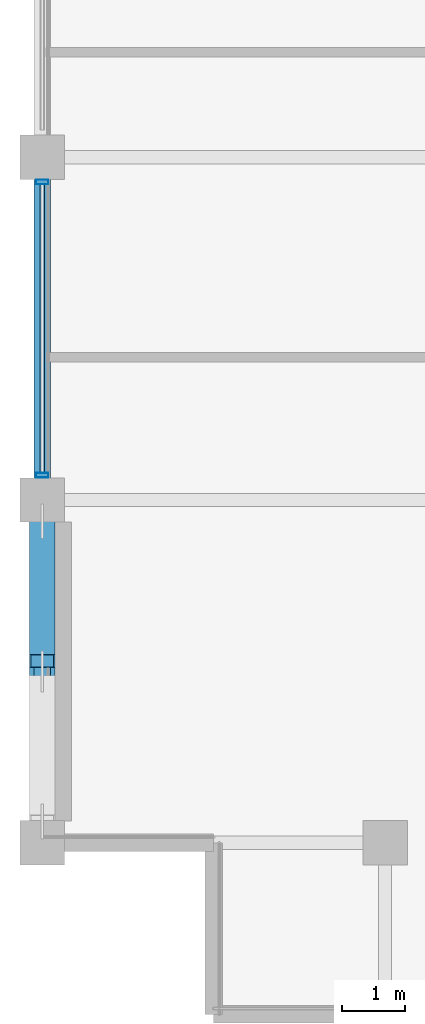
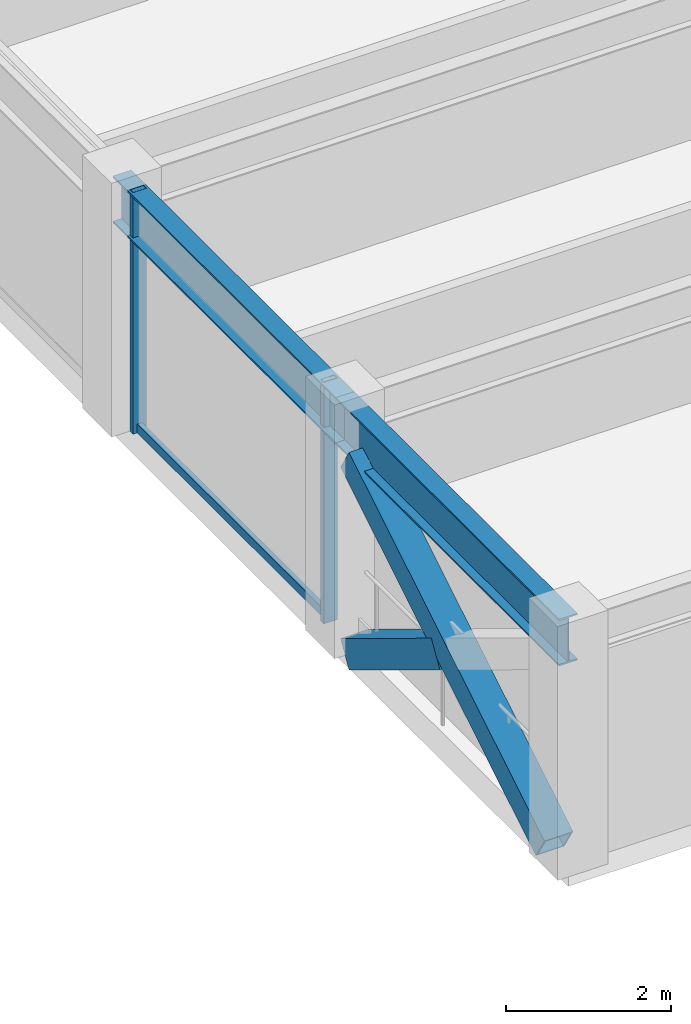
# One storey, part 4 of 34: 5 members, 2 beams, 1 element without a shape of its own.
"""IFC4 building model written with IfcOpenShell, lengths in metres."""

from ifc_helpers import new_model, si_unit, direction, frame, origin, origin_2d, place, context, subcontext, project, spatial, hollow_rectangle, i_section, extrude, material, layer, layer_set, material_profile, profile_set, type_object, element, aggregate, save


model = new_model("IFC4")

# Units and contexts
model_context = context("Model", 3, precision=1e-05, world=origin(), true_north=direction((0.0, 1.0)))
body_context = subcontext(model_context, "Body", "Model", "MODEL_VIEW")
ifc_project = project(units=[si_unit("LENGTHUNIT", "METRE"), si_unit("AREAUNIT", "SQUARE_METRE"), si_unit("VOLUMEUNIT", "CUBIC_METRE"), si_unit("PLANEANGLEUNIT", "RADIAN"), si_unit("MASSUNIT", "GRAM", prefix="KILO")], contexts=[model_context])

# Site, building, storey
site_placement = place(None, origin())
site = spatial("IfcSite", under=ifc_project, at=site_placement, CompositionType="ELEMENT")
building_placement = place(site_placement, origin())
building = spatial("IfcBuilding", under=site, at=building_placement, Name="Surkhivell Harbour Commons", CompositionType="ELEMENT")
storey_placement = place(building_placement, frame((0.0, 0.0, 258.75)))
storey = spatial("IfcBuildingStorey", under=building, at=storey_placement, Name="L67", CompositionType="ELEMENT", Elevation=258.75)

# Beams
ifc_material_1 = material(Name="Steel S355", Category="steel")
ifc_material_profile_1 = material_profile(ifc_material_1, i_section(OverallWidth=0.256103515625, OverallDepth=0.693115234375, WebThickness=0.014404296875, FlangeThickness=0.023681640625, at=origin_2d()), Name="UB686x254x170")
ifc_profile_set_1 = profile_set([ifc_material_profile_1], Name="Steel S355")
beam_type = type_object("IfcBeamType", Name="BM-SPN-686", PredefinedType="SPANDREL", material=ifc_profile_set_1)
beam_1_placement = place(storey_placement, frame((-27.0, -16.199951171875, 3.223388671875), z_axis=(0.0, 1.0, 0.0), x_axis=(-1.0, 0.0, 0.0)))
element("IfcBeam", 1, at=beam_1_placement, inside=storey, type_object=beam_type, Name="L67 Tube Spandrel (-27.0,-16.2)", PredefinedType="SPANDREL", context=body_context, shape_type="SweptSolid", body=[
    extrude(i_section(OverallWidth=0.256103515625, OverallDepth=0.693115234375, WebThickness=0.014404296875, FlangeThickness=0.023681640625, at=origin_2d()), origin(), (0.0, 0.0, 1.0), 5.39990234375),
])
beam_2_placement = place(storey_placement, frame((-27.0, -10.800048828125, 3.223388671875), z_axis=(0.0, 1.0, 0.0), x_axis=(-1.0, 0.0, 0.0)))
element("IfcBeam", 2, at=beam_2_placement, inside=storey, type_object=beam_type, Name="L67 Tube Spandrel (-27.0,-10.8)", PredefinedType="SPANDREL", context=body_context, shape_type="SweptSolid", body=[
    extrude(i_section(OverallWidth=0.256103515625, OverallDepth=0.693115234375, WebThickness=0.014404296875, FlangeThickness=0.023681640625, at=origin_2d()), origin(), (0.0, 0.0, 1.0), 5.400146484375),
])

# Curtain wall, members
ifc_material_2 = material(Name="Anodised pale-metal aluminium and insulated glazing", Category="aluminium")
ifc_layer = layer(ifc_material_2, 0.175048828125)
ifc_layer_set = layer_set([ifc_layer], Name="Anodised pale-metal aluminium and insulated glazing")
curtain_wall_type = type_object("IfcCurtainWallType", Name="CW-SYS-Z4", PredefinedType="NOTDEFINED", material=ifc_layer_set)
curtain_wall_placement = place(storey_placement, origin())
curtain_wall = element("IfcCurtainWall", 3, at=curtain_wall_placement, inside=storey, type_object=curtain_wall_type, Name="L67 Curtain Wall CW-L67-E12S1", PredefinedType="NOTDEFINED")
ifc_material_3 = material(Name="Anodised pale-metal aluminium alloy 6063-T6", Category="aluminium")
ifc_material_profile_2 = material_profile(ifc_material_3, hollow_rectangle(XDim=0.074951171875, YDim=0.18994140625, WallThickness=0.00390625, at=origin_2d()), Name="ALU-MULL-75x190")
ifc_profile_set_2 = profile_set([ifc_material_profile_2], Name="Anodised pale-metal aluminium alloy 6063-T6")
member_type_1 = type_object("IfcMemberType", Name="CWM-190", PredefinedType="MULLION", material=ifc_profile_set_2)
member_1_placement = place(storey_placement, frame((-27.0, -5.78955078125, 0.0), z_axis=(0.0, 0.0, 1.0), x_axis=(0.0, -1.0, 0.0)))
member_1 = element("IfcMember", 4, at=member_1_placement, type_object=member_type_1, Name="CW-Z4 mullion 6", PredefinedType="MULLION", context=body_context, shape_type="SweptSolid", body=[
    extrude(hollow_rectangle(XDim=0.074951171875, YDim=0.18994140625, WallThickness=0.00390625, at=origin_2d()), origin(), (0.0, 0.0, 1.0), 3.570068359375),
])
member_2_placement = place(storey_placement, frame((-27.0, -10.410400390625, 0.0), z_axis=(0.0, 0.0, 1.0), x_axis=(0.0, -1.0, 0.0)))
member_2 = element("IfcMember", 5, at=member_2_placement, type_object=member_type_1, Name="CW-Z4 mullion 7", PredefinedType="MULLION", context=body_context, shape_type="SweptSolid", body=[
    extrude(hollow_rectangle(XDim=0.074951171875, YDim=0.18994140625, WallThickness=0.00390625, at=origin_2d()), origin(), (0.0, 0.0, 1.0), 3.570068359375),
])
ifc_material_4 = material(Name="Champagne anodised aluminium alloy 6063-T6", Category="aluminium")
ifc_material_profile_3 = material_profile(ifc_material_4, hollow_rectangle(XDim=0.070068359375, YDim=0.1298828125, WallThickness=0.00341796875, at=origin_2d()), Name="ALU-TRAN-70x130")
ifc_profile_set_3 = profile_set([ifc_material_profile_3], Name="Champagne anodised aluminium alloy 6063-T6")
member_type_2 = type_object("IfcMemberType", Name="CWT-130", PredefinedType="USERDEFINED", material=ifc_profile_set_3)
member_3_placement = place(storey_placement, frame((-27.0, -5.826904296875, 0.06494140625), z_axis=(0.0, -1.0, 0.0), x_axis=(1.0, 0.0, 0.0)))
member_3 = element("IfcMember", 6, at=member_3_placement, type_object=member_type_2, Name="CW-Z4 transom 6.1", ObjectType="TRANSOM", PredefinedType="USERDEFINED", context=body_context, shape_type="SweptSolid", body=[
    extrude(hollow_rectangle(XDim=0.070068359375, YDim=0.1298828125, WallThickness=0.00341796875, at=origin_2d()), origin(), (0.0, 0.0, 1.0), 4.546142578125),
])
aggregate(curtain_wall, [member_1, member_2, member_3])

# Members
ifc_material_5 = material(Name="Steel S460", Category="steel")
ifc_material_profile_4 = material_profile(ifc_material_5, hollow_rectangle(XDim=0.39990234375, YDim=0.39990234375, WallThickness=0.02001953125, at=origin_2d()), Name="SHS400x400x20")
ifc_profile_set_4 = profile_set([ifc_material_profile_4], Name="Steel S460")
member_type_3 = type_object("IfcMemberType", Name="MEM-BRC-SHS400", PredefinedType="BRACE", material=ifc_profile_set_4)
member_4_placement = place(storey_placement, frame((-27.0, -15.864990234375, 0.008056640625), z_axis=(0.0, 0.854685454322, 0.519146197299), x_axis=(-1.0, 0.0, 0.0)))
element("IfcMember", 7, at=member_4_placement, inside=storey, type_object=member_type_3, Name="L67 Perimeter Mega-Brace MB- 10", PredefinedType="BRACE", context=body_context, shape_type="SweptSolid", body=[
    extrude(hollow_rectangle(XDim=0.39990234375, YDim=0.39990234375, WallThickness=0.02001953125, at=origin_2d()), origin(), (0.0, 0.0, 1.0), 5.5341796875),
])
member_5_placement = place(storey_placement, frame((-27.0, -11.135009765625, 0.008056640625), z_axis=(0.0, -0.854719912157, 0.519089464122), x_axis=(1.0, 0.0, 0.0)))
element("IfcMember", 8, at=member_5_placement, inside=storey, type_object=member_type_3, Name="L67 Perimeter Mega-Brace MB- 11", PredefinedType="BRACE", context=body_context, shape_type="SweptSolid", body=[
    extrude(hollow_rectangle(XDim=0.39990234375, YDim=0.39990234375, WallThickness=0.02001953125, at=origin_2d()), origin(), (0.0, 0.0, 1.0), 2.574951171875),
])

save(model, "model.ifc")
